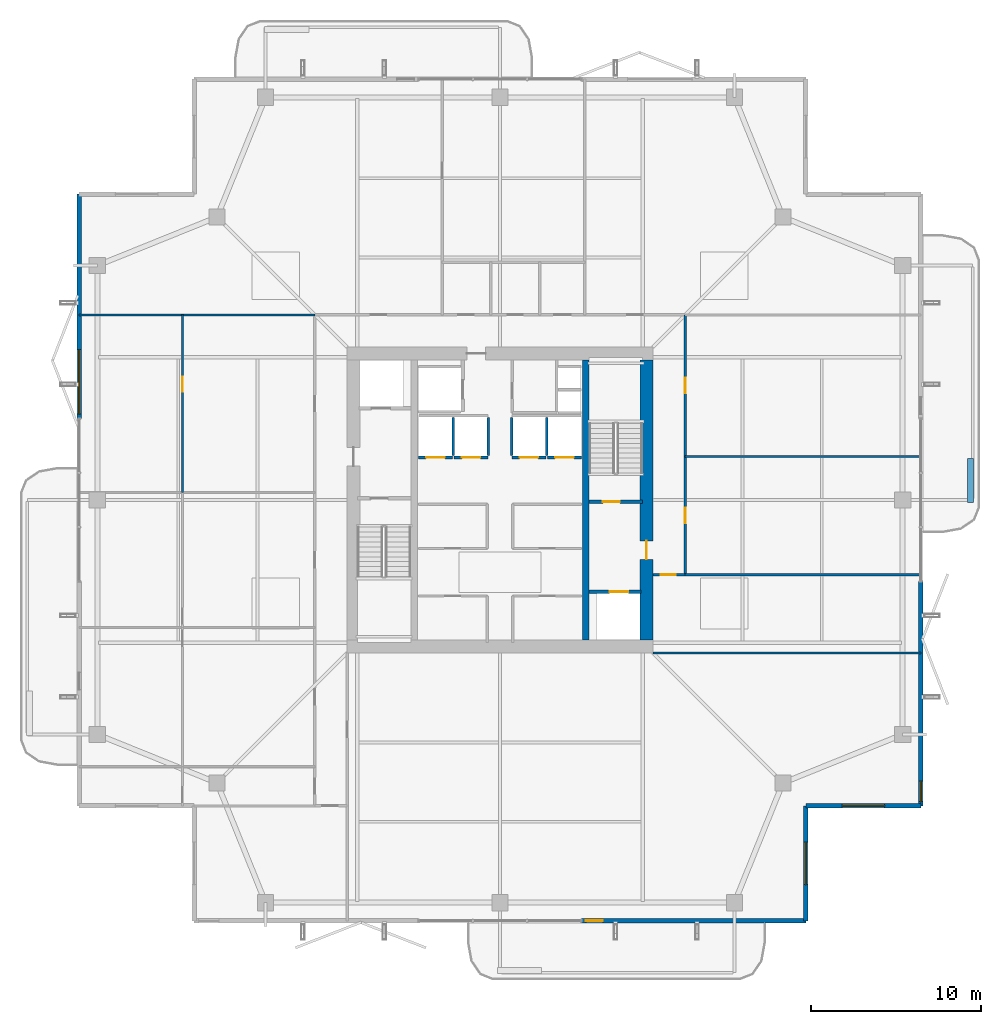
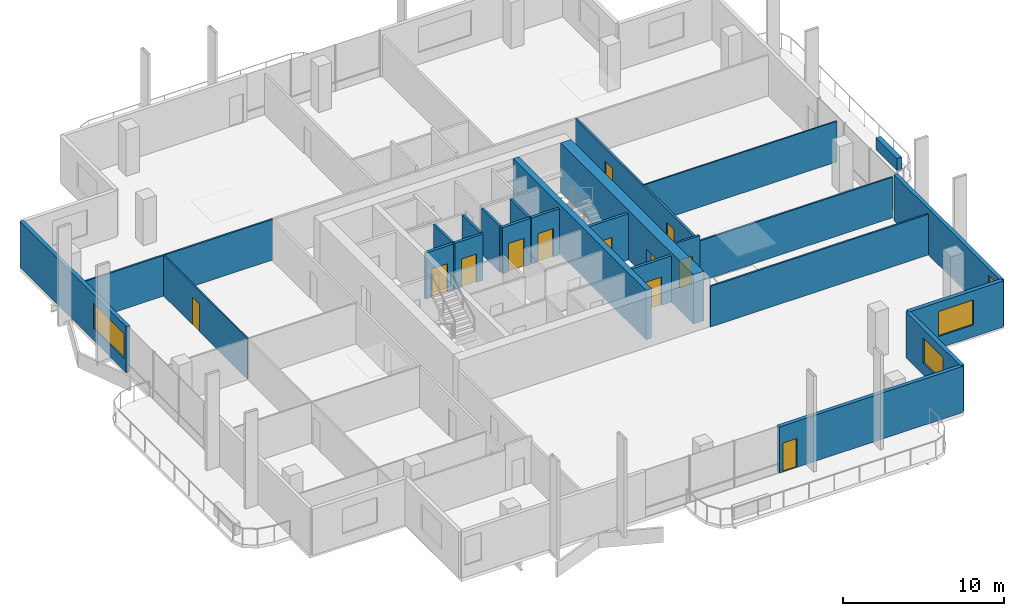
# One storey, part 19 of 25: 25 walls, 12 doors, 4 windows, 16 openings.
"""IFC4 building model written with IfcOpenShell, lengths in metres."""

from ifc_helpers import new_model, si_unit, direction, frame, frame_2d, origin, place, context, subcontext, project, spatial, rectangle, extrude, material, layer, layer_set, type_object, element, fill, save


model = new_model("IFC4")

# Units and contexts
model_context = context("Model", 3, precision=1e-05, world=origin(), true_north=direction((0.0, 1.0)))
body_context = subcontext(model_context, "Body", "Model", "MODEL_VIEW")
ifc_project = project(units=[si_unit("LENGTHUNIT", "METRE"), si_unit("AREAUNIT", "SQUARE_METRE"), si_unit("VOLUMEUNIT", "CUBIC_METRE"), si_unit("PLANEANGLEUNIT", "RADIAN"), si_unit("MASSUNIT", "GRAM", prefix="KILO")], contexts=[model_context])

# Site, building, storey
site_placement = place(None, origin())
site = spatial("IfcSite", under=ifc_project, at=site_placement, CompositionType="ELEMENT")
building_placement = place(site_placement, origin())
building = spatial("IfcBuilding", under=site, at=building_placement, Name="Belovzor Exchange Tower", CompositionType="ELEMENT")
storey_placement = place(building_placement, frame((0.0, 0.0, 272.85009765625)))
storey = spatial("IfcBuildingStorey", under=building, at=storey_placement, Name="L68", CompositionType="ELEMENT", Elevation=272.85009765625)

# Walls
ifc_material_1 = material(Name="Acoustic Plasterboard on Galvanised Studs", Category="gypsum")
ifc_layer_1 = layer(ifc_material_1, 0.1201171875)
ifc_layer_set_1 = layer_set([ifc_layer_1], Name="Acoustic Plasterboard on Galvanised Studs")
wall_type_1 = type_object("IfcWallType", Name="Acoustic Double-Stud Partition Wall 120", PredefinedType="PARTITIONING", material=ifc_layer_set_1)
wall_1_placement = place(storey_placement, frame((37.800048828125, 19.800048828125, 0.0), z_axis=(0.0, 0.0, 1.0), x_axis=(1.0, 0.0, 0.0)))
element("IfcWall", 1, at=wall_1_placement, inside=storey, type_object=wall_type_1, Name="W-P120 Partition Wall W-L68-ESS", PredefinedType="PARTITIONING", context=body_context, shape_type="SweptSolid", body=[
    extrude(rectangle(XDim=15.77001953125, YDim=0.1201171875, at=frame_2d((7.885009765625, 0.0))), origin(), (0.0, 0.0, 1.0), 3.0849609375),
])
wall_2_placement = place(storey_placement, frame((39.699951171875, 24.39990234375, 0.0), z_axis=(0.0, 0.0, 1.0), x_axis=(1.0, 0.0, 0.0)))
element("IfcWall", 2, at=wall_2_placement, inside=storey, type_object=wall_type_1, Name="W-P120 Partition Wall W-L68-ESN", PredefinedType="PARTITIONING", context=body_context, shape_type="SweptSolid", body=[
    extrude(rectangle(XDim=13.8701171875, YDim=0.1201171875, at=frame_2d((6.93505859375, 0.0))), origin(), (0.0, 0.0, 1.0), 3.0849609375),
])
wall_3_placement = place(storey_placement, frame((4.030029296875, 39.699951171875, 0.0), z_axis=(0.0, 0.0, 1.0), x_axis=(1.0, 0.0, 0.0)))
element("IfcWall", 3, at=wall_3_placement, inside=storey, type_object=wall_type_1, Name="W-P120 Partition Wall W-L68-END-NW", PredefinedType="PARTITIONING", context=body_context, shape_type="SweptSolid", body=[
    extrude(rectangle(XDim=13.869873046875, YDim=0.1201171875, at=frame_2d((6.93505859375, 0.0))), origin(), (0.0, 0.0, 1.0), 3.0849609375),
])

# Wall, opening, door
ifc_material_2 = material(Name="Acoustic Laminated Glass and Aluminium", Category="aluminium")
ifc_layer_2 = layer(ifc_material_2, 0.10009765625)
ifc_layer_set_2 = layer_set([ifc_layer_2], Name="Acoustic Laminated Glass and Aluminium")
wall_type_2 = type_object("IfcWallType", Name="Demountable Executive Glass Partition 100", PredefinedType="MOVABLE", material=ifc_layer_set_2)
wall_4_placement = place(storey_placement, frame((10.114990234375, 29.235107421875, 0.0), z_axis=(0.0, 0.0, 1.0), x_axis=(0.0, 1.0, 0.0)))
wall_4 = element("IfcWall", 4, at=wall_4_placement, inside=storey, type_object=wall_type_2, Name="W-M100 Partition Wall W-L68-WHDIV-3", PredefinedType="MOVABLE", context=body_context, shape_type="SweptSolid", body=[
    extrude(rectangle(XDim=10.46484375, YDim=0.10009765625, at=frame_2d((5.232421875, 0.0))), origin(), (0.0, 0.0, 1.0), 3.0849609375),
])
opening_1_placement = place(wall_4_placement, frame((5.927978515625, 0.0, 0.0)))
opening_1 = element("IfcOpeningElement", 5, at=opening_1_placement, cuts=wall_4, Name="Opening D-INT-090", PredefinedType="OPENING", context=body_context, shape_type="SweptSolid", body=[
    extrude(rectangle(XDim=0.89990234375, YDim=2.10009765625, at=frame_2d((0.449951171875, 1.050048828125))), frame((0.0, 0.06005859375, 0.0), z_axis=(0.0, -1.0, 0.0), x_axis=(1.0, 0.0, 0.0)), (0.0, 0.0, 1.0), 0.1201171875),
])
ifc_material_3 = material(Name="Veneered Hardwood Acoustic Leaf", Category="wood")
door_type_1 = type_object("IfcDoorType", Name="Trading Suite Acoustic Single Door 900x2100", OperationType="NOTDEFINED", PredefinedType="DOOR", material=ifc_material_3)
door_1_placement = place(opening_1_placement, origin())
door_1 = element("IfcDoor", 6, at=door_1_placement, inside=storey, type_object=door_type_1, Name="D-INT-090 Trading Suite Acoustic Single Door 900x2100", OperationType="SINGLE_SWING_LEFT", OverallHeight=2.10009765625, OverallWidth=0.89990234375, PredefinedType="DOOR", context=body_context, shape_type="SweptSolid", body=[
    extrude(rectangle(XDim=0.89990234375, YDim=2.10009765625, at=frame_2d((0.449951171875, 1.050048828125))), frame((0.0, 0.02490234375, 0.0), z_axis=(0.0, -1.0, 0.0), x_axis=(1.0, 0.0, 0.0)), (0.0, 0.0, 1.0), 0.050048828125),
])
fill(opening_1, door_1)

# Wall
wall_5_placement = place(storey_placement, frame((39.699951171875, 31.364013671875, 0.0), z_axis=(0.0, 0.0, 1.0), x_axis=(1.0, 0.0, 0.0)))
element("IfcWall", 7, at=wall_5_placement, inside=storey, type_object=wall_type_2, Name="W-M100 Partition Wall W-L68-EDIV-1", PredefinedType="MOVABLE", context=body_context, shape_type="SweptSolid", body=[
    extrude(rectangle(XDim=13.8701171875, YDim=0.10009765625, at=frame_2d((6.93505859375, 0.0))), origin(), (0.0, 0.0, 1.0), 3.0849609375),
])

# Wall, opening, door
ifc_material_4 = material(Name="Fire-Rated Gypsum Block and Mineral Wool", Category="gypsum")
ifc_layer_3 = layer(ifc_material_4, 0.14990234375)
ifc_layer_set_3 = layer_set([ifc_layer_3], Name="Fire-Rated Gypsum Block and Mineral Wool")
wall_type_3 = type_object("IfcWallType", Name="Fire-Rated Gypsum Block Corridor Wall 150", PredefinedType="PARTITIONING", material=ifc_layer_set_3)
wall_6_placement = place(storey_placement, frame((37.800048828125, 24.39990234375, 0.0), z_axis=(0.0, 0.0, 1.0), x_axis=(1.0, 0.0, 0.0)))
wall_6 = element("IfcWall", 8, at=wall_6_placement, inside=storey, type_object=wall_type_3, Name="W-P150 Partition Wall W-L68-CE-END", PredefinedType="PARTITIONING", context=body_context, shape_type="SweptSolid", body=[
    extrude(rectangle(XDim=1.89990234375, YDim=0.14990234375, at=frame_2d((0.949951171875, 0.0))), origin(), (0.0, 0.0, 1.0), 3.5),
])
opening_2_placement = place(wall_6_placement, frame((0.449951171875, 0.0, 0.0)))
opening_2 = element("IfcOpeningElement", 9, at=opening_2_placement, cuts=wall_6, Name="Opening D-FD60-090", PredefinedType="OPENING", context=body_context, shape_type="SweptSolid", body=[
    extrude(rectangle(XDim=0.89990234375, YDim=2.10009765625, at=frame_2d((0.449951171875, 1.050048828125))), frame((0.0, 0.0849609375, 0.0), z_axis=(0.0, -1.0, 0.0), x_axis=(1.0, 0.0, 0.0)), (0.0, 0.0, 1.0), 0.169921875),
])
ifc_material_5 = material(Name="Acoustic Timber Fire Leaf", Category="wood")
door_type_2 = type_object("IfcDoorType", Name="Core Service & Restroom Fire Door 900x2100", OperationType="NOTDEFINED", PredefinedType="DOOR", material=ifc_material_5)
door_2_placement = place(opening_2_placement, origin())
door_2 = element("IfcDoor", 10, at=door_2_placement, inside=storey, type_object=door_type_2, Name="D-FD60-090 Core Service & Restroom Fire Door 900x2100", OperationType="SINGLE_SWING_LEFT", OverallHeight=2.10009765625, OverallWidth=0.89990234375, PredefinedType="DOOR", context=body_context, shape_type="SweptSolid", body=[
    extrude(rectangle(XDim=0.89990234375, YDim=2.10009765625, at=frame_2d((0.449951171875, 1.050048828125))), frame((0.0, 0.02490234375, 0.0), z_axis=(0.0, -1.0, 0.0), x_axis=(1.0, 0.0, 0.0)), (0.0, 0.0, 1.0), 0.050048828125),
])
fill(opening_2, door_2)

# Wall, openings, doors
wall_7_placement = place(storey_placement, frame((39.699951171875, 24.39990234375, 0.0), z_axis=(0.0, 0.0, 1.0), x_axis=(0.0, 1.0, 0.0)))
wall_7 = element("IfcWall", 11, at=wall_7_placement, inside=storey, type_object=wall_type_3, Name="W-P150 Partition Wall W-L68-CE", PredefinedType="PARTITIONING", context=body_context, shape_type="SweptSolid", body=[
    extrude(rectangle(XDim=15.300048828125, YDim=0.14990234375, at=frame_2d((7.64990234375, 0.0))), origin(), (0.0, 0.0, 1.0), 3.0849609375),
])
opening_3_placement = place(wall_7_placement, frame((3.031982421875, 0.0, 0.0)))
opening_3 = element("IfcOpeningElement", 12, at=opening_3_placement, cuts=wall_7, Name="Opening D-INT-090", PredefinedType="OPENING", context=body_context, shape_type="SweptSolid", body=[
    extrude(rectangle(XDim=0.89990234375, YDim=2.10009765625, at=frame_2d((0.449951171875, 1.050048828125))), frame((0.0, 0.0849609375, 0.0), z_axis=(0.0, -1.0, 0.0), x_axis=(1.0, 0.0, 0.0)), (0.0, 0.0, 1.0), 0.169921875),
])
opening_4_placement = place(wall_7_placement, frame((10.681884765625, 0.0, 0.0)))
opening_4 = element("IfcOpeningElement", 13, at=opening_4_placement, cuts=wall_7, Name="Opening D-INT-090", PredefinedType="OPENING", context=body_context, shape_type="SweptSolid", body=[
    extrude(rectangle(XDim=0.89990234375, YDim=2.10009765625, at=frame_2d((0.449951171875, 1.050048828125))), frame((0.0, 0.0849609375, 0.0), z_axis=(0.0, -1.0, 0.0), x_axis=(1.0, 0.0, 0.0)), (0.0, 0.0, 1.0), 0.169921875),
])
door_3_placement = place(opening_3_placement, origin())
door_3 = element("IfcDoor", 14, at=door_3_placement, inside=storey, type_object=door_type_1, Name="D-INT-090 Trading Suite Acoustic Single Door 900x2100", OperationType="SINGLE_SWING_RIGHT", OverallHeight=2.10009765625, OverallWidth=0.89990234375, PredefinedType="DOOR", context=body_context, shape_type="SweptSolid", body=[
    extrude(rectangle(XDim=0.89990234375, YDim=2.10009765625, at=frame_2d((0.449951171875, 1.050048828125))), frame((0.0, 0.02490234375, 0.0), z_axis=(0.0, -1.0, 0.0), x_axis=(1.0, 0.0, 0.0)), (0.0, 0.0, 1.0), 0.050048828125),
])
fill(opening_3, door_3)
door_4_placement = place(opening_4_placement, origin())
door_4 = element("IfcDoor", 15, at=door_4_placement, inside=storey, type_object=door_type_1, Name="D-INT-090 Trading Suite Acoustic Single Door 900x2100", OperationType="SINGLE_SWING_LEFT", OverallHeight=2.10009765625, OverallWidth=0.89990234375, PredefinedType="DOOR", context=body_context, shape_type="SweptSolid", body=[
    extrude(rectangle(XDim=0.89990234375, YDim=2.10009765625, at=frame_2d((0.449951171875, 1.050048828125))), frame((0.0, 0.02490234375, 0.0), z_axis=(0.0, -1.0, 0.0), x_axis=(1.0, 0.0, 0.0)), (0.0, 0.0, 1.0), 0.050048828125),
])
fill(opening_4, door_4)

# Wall, opening, window
ifc_material_6 = material(Name="Precast concrete C40/50", Category="concrete")
ifc_layer_4 = layer(ifc_material_6, 0.280029296875)
ifc_layer_set_4 = layer_set([ifc_layer_4], Name="Precast concrete C40/50")
wall_type_4 = type_object("IfcWallType", Name="Precast Concrete Notched Corner Frame Wall 280", PredefinedType="SOLIDWALL", material=ifc_layer_set_4)
wall_8_placement = place(storey_placement, frame((53.570068359375, 10.800048828125, 0.0), z_axis=(0.0, 0.0, 1.0), x_axis=(-1.0, 0.0, 0.0)))
wall_8 = element("IfcWall", 16, at=wall_8_placement, inside=storey, type_object=wall_type_4, Name="W-CRN280 Precast Concrete Notched Corner Frame Wall 280 L68", PredefinedType="SOLIDWALL", context=body_context, shape_type="SweptSolid", body=[
    extrude(rectangle(XDim=6.77001953125, YDim=0.280029296875, at=frame_2d((3.385009765625, 0.0))), origin(), (0.0, 0.0, 1.0), 3.5),
])
opening_5_placement = place(wall_8_placement, frame((2.135009765625, 0.0, 0.89990234375)))
opening_5 = element("IfcOpeningElement", 17, at=opening_5_placement, cuts=wall_8, Name="Opening WN-CRN250", PredefinedType="OPENING", context=body_context, shape_type="SweptSolid", body=[
    extrude(rectangle(XDim=2.5, YDim=1.89990234375, at=frame_2d((1.25, 0.949951171875))), frame((0.0, 0.14990234375, 0.0), z_axis=(0.0, -1.0, 0.0), x_axis=(1.0, 0.0, 0.0)), (0.0, 0.0, 1.0), 0.300048828125),
])
ifc_material_7 = material(Name="Thermally Broken Aluminium and Triple Glazing", Category="aluminium")
window_type_1 = type_object("IfcWindowType", Name="Streamline Moderne Corner Wrap Ribbon Window 2500x1900", PartitioningType="SINGLE_PANEL", PredefinedType="WINDOW", material=ifc_material_7)
window_1_placement = place(opening_5_placement, origin())
window_1 = element("IfcWindow", 18, at=window_1_placement, inside=storey, type_object=window_type_1, Name="WN-CRN250 Streamline Moderne Corner Wrap Ribbon Window 2500x1900", OverallHeight=1.89990234375, OverallWidth=2.5, PartitioningType="SINGLE_PANEL", PredefinedType="WINDOW", context=body_context, shape_type="SweptSolid", body=[
    extrude(rectangle(XDim=2.5, YDim=1.89990234375, at=frame_2d((1.25, 0.949951171875))), frame((0.0, 0.030029296875, 0.0), z_axis=(0.0, -1.0, 0.0), x_axis=(1.0, 0.0, 0.0)), (0.0, 0.0, 1.0), 0.06005859375),
])
fill(opening_5, window_1)

wall_9_placement = place(storey_placement, frame((46.800048828125, 10.800048828125, 0.0), z_axis=(0.0, 0.0, 1.0), x_axis=(0.0, -1.0, 0.0)))
wall_9 = element("IfcWall", 19, at=wall_9_placement, inside=storey, type_object=wall_type_4, Name="W-CRN280 Precast Concrete Notched Corner Frame Wall 280 L68", PredefinedType="SOLIDWALL", context=body_context, shape_type="SweptSolid", body=[
    extrude(rectangle(XDim=6.77001953125, YDim=0.280029296875, at=frame_2d((3.385009765625, 0.0))), origin(), (0.0, 0.0, 1.0), 3.5),
])
opening_6_placement = place(wall_9_placement, frame((2.135009765625, 0.0, 0.89990234375)))
opening_6 = element("IfcOpeningElement", 20, at=opening_6_placement, cuts=wall_9, Name="Opening WN-CRN250", PredefinedType="OPENING", context=body_context, shape_type="SweptSolid", body=[
    extrude(rectangle(XDim=2.5, YDim=1.89990234375, at=frame_2d((1.25, 0.949951171875))), frame((0.0, 0.14990234375, 0.0), z_axis=(0.0, -1.0, 0.0), x_axis=(1.0, 0.0, 0.0)), (0.0, 0.0, 1.0), 0.300048828125),
])
window_2_placement = place(opening_6_placement, origin())
window_2 = element("IfcWindow", 21, at=window_2_placement, inside=storey, type_object=window_type_1, Name="WN-CRN250 Streamline Moderne Corner Wrap Ribbon Window 2500x1900", OverallHeight=1.89990234375, OverallWidth=2.5, PartitioningType="SINGLE_PANEL", PredefinedType="WINDOW", context=body_context, shape_type="SweptSolid", body=[
    extrude(rectangle(XDim=2.5, YDim=1.89990234375, at=frame_2d((1.25, 0.949951171875))), frame((0.0, 0.030029296875, 0.0), z_axis=(0.0, -1.0, 0.0), x_axis=(1.0, 0.0, 0.0)), (0.0, 0.0, 1.0), 0.06005859375),
])
fill(opening_6, window_2)

# Wall, opening, door
ifc_material_8 = material(Name="Precast concrete C40/50", Category="concrete")
ifc_layer_5 = layer(ifc_material_8, 0.260009765625)
ifc_layer_set_5 = layer_set([ifc_layer_5], Name="Precast concrete C40/50")
wall_type_5 = type_object("IfcWallType", Name="Precast Concrete Perimeter Loggia Frame Wall 260", PredefinedType="SOLIDWALL", material=ifc_layer_set_5)
wall_10_placement = place(storey_placement, frame((46.800048828125, 4.030029296875, 0.0), z_axis=(0.0, 0.0, 1.0), x_axis=(-1.0, 0.0, 0.0)))
wall_10 = element("IfcWall", 22, at=wall_10_placement, inside=storey, type_object=wall_type_5, Name="W-EXT260 Precast Concrete Perimeter Loggia Frame Wall 260 L68", PredefinedType="SOLIDWALL", context=body_context, shape_type="SweptSolid", body=[
    extrude(rectangle(XDim=13.199951171875, YDim=0.260009765625, at=frame_2d((6.60009765625, 0.0))), origin(), (0.0, 0.0, 1.0), 3.5),
])
opening_7_placement = place(wall_10_placement, frame((11.949951171875, 0.0, 0.0)))
opening_7 = element("IfcOpeningElement", 23, at=opening_7_placement, cuts=wall_10, Name="Opening D-BAL100", PredefinedType="OPENING", context=body_context, shape_type="SweptSolid", body=[
    extrude(rectangle(XDim=1.0, YDim=2.199951171875, at=frame_2d((0.5, 1.10009765625))), frame((0.0, 0.139892578125, 0.0), z_axis=(0.0, -1.0, 0.0), x_axis=(1.0, 0.0, 0.0)), (0.0, 0.0, 1.0), 0.280029296875),
])
ifc_material_9 = material(Name="Thermally Broken Anodised Aluminium and Laminated Glass", Category="aluminium")
door_type_3 = type_object("IfcDoorType", Name="Planted Loggia Terrace Glazed Door 1000x2200", OperationType="SINGLE_SWING_LEFT", PredefinedType="DOOR", material=ifc_material_9)
door_5_placement = place(opening_7_placement, origin())
door_5 = element("IfcDoor", 24, at=door_5_placement, inside=storey, type_object=door_type_3, Name="D-BAL100 Balcony Terrace Door L68 S", OperationType="SINGLE_SWING_LEFT", OverallHeight=2.199951171875, OverallWidth=1.0, PredefinedType="DOOR", context=body_context, shape_type="SweptSolid", body=[
    extrude(rectangle(XDim=1.0, YDim=2.199951171875, at=frame_2d((0.5, 1.10009765625))), frame((0.0, 0.02490234375, 0.0), z_axis=(0.0, -1.0, 0.0), x_axis=(1.0, 0.0, 0.0)), (0.0, 0.0, 1.0), 0.050048828125),
])
fill(opening_7, door_5)

# Wall, opening, window
wall_11_placement = place(storey_placement, frame((4.030029296875, 33.60009765625, 0.0), z_axis=(0.0, 0.0, 1.0), x_axis=(0.0, 1.0, 0.0)))
wall_11 = element("IfcWall", 25, at=wall_11_placement, inside=storey, type_object=wall_type_5, Name="W-EXT260 Precast Concrete Perimeter Loggia Frame Wall 260 L68", PredefinedType="SOLIDWALL", context=body_context, shape_type="SweptSolid", body=[
    extrude(rectangle(XDim=13.199951171875, YDim=0.260009765625, at=frame_2d((6.60009765625, 0.0))), origin(), (0.0, 0.0, 1.0), 3.5),
])
opening_8_placement = place(wall_11_placement, frame((0.25, 0.0, 0.89990234375)))
opening_8 = element("IfcOpeningElement", 26, at=opening_8_placement, cuts=wall_11, Name="Opening WN-RIB380", PredefinedType="OPENING", context=body_context, shape_type="SweptSolid", body=[
    extrude(rectangle(XDim=3.800048828125, YDim=1.89990234375, at=frame_2d((1.89990234375, 0.949951171875))), frame((0.0, 0.139892578125, 0.0), z_axis=(0.0, -1.0, 0.0), x_axis=(1.0, 0.0, 0.0)), (0.0, 0.0, 1.0), 0.280029296875),
])
ifc_material_10 = material(Name="Thermally Broken Aluminium and Triple Glazing", Category="aluminium")
window_type_2 = type_object("IfcWindowType", Name="Streamline Moderne Horizontal Ribbon Window 3800x1900", PartitioningType="SINGLE_PANEL", PredefinedType="WINDOW", material=ifc_material_10)
window_3_placement = place(opening_8_placement, origin())
window_3 = element("IfcWindow", 27, at=window_3_placement, inside=storey, type_object=window_type_2, Name="WN-RIB380 Streamline Moderne Horizontal Ribbon Window 3800x1900", OverallHeight=1.89990234375, OverallWidth=3.800048828125, PartitioningType="SINGLE_PANEL", PredefinedType="WINDOW", context=body_context, shape_type="SweptSolid", body=[
    extrude(rectangle(XDim=3.800048828125, YDim=1.89990234375, at=frame_2d((1.89990234375, 0.949951171875))), frame((0.0, 0.030029296875, 0.0), z_axis=(0.0, -1.0, 0.0), x_axis=(1.0, 0.0, 0.0)), (0.0, 0.0, 1.0), 0.06005859375),
])
fill(opening_8, window_3)

wall_12_placement = place(storey_placement, frame((53.570068359375, 24.0, 0.0), z_axis=(0.0, 0.0, 1.0), x_axis=(0.0, -1.0, 0.0)))
wall_12 = element("IfcWall", 28, at=wall_12_placement, inside=storey, type_object=wall_type_5, Name="W-EXT260 Precast Concrete Perimeter Loggia Frame Wall 260 L68", PredefinedType="SOLIDWALL", context=body_context, shape_type="SweptSolid", body=[
    extrude(rectangle(XDim=13.199951171875, YDim=0.260009765625, at=frame_2d((6.60009765625, 0.0))), origin(), (0.0, 0.0, 1.0), 3.5),
])
opening_9_placement = place(wall_12_placement, frame((11.75, 0.0, 0.89990234375)))
opening_9 = element("IfcOpeningElement", 29, at=opening_9_placement, cuts=wall_12, Name="Opening WN-CRN120", PredefinedType="OPENING", context=body_context, shape_type="SweptSolid", body=[
    extrude(rectangle(XDim=1.199951171875, YDim=2.10009765625, at=frame_2d((0.60009765625, 1.050048828125))), frame((0.0, 0.139892578125, 0.0), z_axis=(0.0, -1.0, 0.0), x_axis=(1.0, 0.0, 0.0)), (0.0, 0.0, 1.0), 0.280029296875),
])
ifc_material_11 = material(Name="Thermally Broken Aluminium and Triple Glazing", Category="aluminium")
window_type_3 = type_object("IfcWindowType", Name="Streamline Notched Corner Window 1200x2100", PartitioningType="SINGLE_PANEL", PredefinedType="WINDOW", material=ifc_material_11)
window_4_placement = place(opening_9_placement, origin())
window_4 = element("IfcWindow", 30, at=window_4_placement, inside=storey, type_object=window_type_3, Name="WN-CRN120 Streamline Notched Corner Window 1200x2100", OverallHeight=2.10009765625, OverallWidth=1.199951171875, PartitioningType="SINGLE_PANEL", PredefinedType="WINDOW", context=body_context, shape_type="SweptSolid", body=[
    extrude(rectangle(XDim=1.199951171875, YDim=2.10009765625, at=frame_2d((0.60009765625, 1.050048828125))), frame((0.0, 0.030029296875, 0.0), z_axis=(0.0, -1.0, 0.0), x_axis=(1.0, 0.0, 0.0)), (0.0, 0.0, 1.0), 0.06005859375),
])
fill(opening_9, window_4)

# Walls
ifc_material_12 = material(Name="Precast concrete C40/50", Category="concrete")
ifc_layer_6 = layer(ifc_material_12, 0.35009765625)
ifc_layer_set_6 = layer_set([ifc_layer_6], Name="Precast concrete C40/50")
wall_type_6 = type_object("IfcWallType", Name="Precast Concrete Structural Tree Planter Trough 350", PredefinedType="PARAPET", material=ifc_layer_set_6)
wall_13_placement = place(storey_placement, frame((56.5, 28.64990234375, 0.0), z_axis=(0.0, 0.0, 1.0), x_axis=(0.0, 1.0, 0.0)))
element("IfcWall", 31, at=wall_13_placement, inside=storey, type_object=wall_type_6, Name="PT-350 Precast Concrete Structural Tree Planter Trough 350 L68", PredefinedType="PARAPET", context=body_context, shape_type="SweptSolid", body=[
    extrude(rectangle(XDim=2.60009765625, YDim=0.35009765625, at=frame_2d((1.300048828125, 0.0))), origin(), (0.0, 0.0, 1.0), 0.89990234375),
])
ifc_material_13 = material(Name="Concrete C50/60", Category="concrete")
ifc_layer_7 = layer(ifc_material_13, 0.39990234375)
ifc_layer_set_7 = layer_set([ifc_layer_7], Name="Concrete C50/60")
wall_type_7 = type_object("IfcWallType", Name="Reinforced Concrete Core Internal Web Wall 400", PredefinedType="SHEAR", material=ifc_layer_set_7)
wall_14_placement = place(storey_placement, frame((33.85009765625, 20.550048828125, 0.0), z_axis=(0.0, 0.0, 1.0), x_axis=(0.0, 1.0, 0.0)))
element("IfcWall", 32, at=wall_14_placement, inside=storey, type_object=wall_type_7, Name="CW-W040 Core Internal Web Wall L68 ER", PredefinedType="SHEAR", context=body_context, shape_type="SweptSolid", body=[
    extrude(rectangle(XDim=16.5, YDim=0.39990234375, at=frame_2d((8.25, 0.0))), origin(), (0.0, 0.0, 1.0), 3.75),
])
ifc_material_14 = material(Name="Concrete C50/60", Category="concrete")
ifc_layer_8 = layer(ifc_material_14, 0.14990234375)
ifc_layer_set_8 = layer_set([ifc_layer_8], Name="Concrete C50/60")
wall_type_8 = type_object("IfcWallType", Name="Reinforced Concrete Core Riser Shear Wall 150", PredefinedType="SHEAR", material=ifc_layer_set_8)
for number, where, z_axis, x_axis, name in (
    (33, (26.050048828125, 31.419921875, 0.0), (0.0, 0.0, 1.0), (0.0, 1.0, 0.0), "W-C150S Core Shaft Wall W-SHD-L68-PLH-1"),
    (34, (28.10009765625, 31.419921875, 0.0), (0.0, 0.0, 1.0), (0.0, 1.0, 0.0), "W-C150S Core Shaft Wall W-SHD-L68-PLH-2"),
    (35, (29.5, 31.419921875, 0.0), (0.0, 0.0, 1.0), (0.0, 1.0, 0.0), "W-C150S Core Shaft Wall W-SHD-L68-PLH-3"),
    (36, (31.550048828125, 31.419921875, 0.0), (0.0, 0.0, 1.0), (0.0, 1.0, 0.0), "W-C150S Core Shaft Wall W-SHD-L68-PLH-4"),
):
    element("IfcWall", number, at=place(storey_placement, frame(where, z_axis=z_axis, x_axis=x_axis)), inside=storey, type_object=wall_type_8, Name=name, PredefinedType="SHEAR", context=body_context, shape_type="SweptSolid", body=[
        extrude(rectangle(XDim=2.239990234375, YDim=0.14990234375, at=frame_2d((1.1201171875, 0.0))), origin(), (0.0, 0.0, 1.0), 3.5),
    ])

# Wall, opening, door
ifc_material_15 = material(Name="Concrete C50/60", Category="concrete")
ifc_layer_9 = layer(ifc_material_15, 0.199951171875)
ifc_layer_set_9 = layer_set([ifc_layer_9], Name="Concrete C50/60")
wall_type_9 = type_object("IfcWallType", Name="Reinforced Concrete Core Shaft Shear Wall 200", PredefinedType="SHEAR", material=ifc_layer_set_9)
wall_15_placement = place(storey_placement, frame((34.050048828125, 28.699951171875, 0.0), z_axis=(0.0, 0.0, 1.0), x_axis=(1.0, 0.0, 0.0)))
wall_15 = element("IfcWall", 37, at=wall_15_placement, inside=storey, type_object=wall_type_9, Name="W-C200S Core Shaft Wall W-CORE-L68-FFLE2", PredefinedType="SHEAR", context=body_context, shape_type="SweptSolid", body=[
    extrude(rectangle(XDim=3.14990234375, YDim=0.199951171875, at=frame_2d((1.574951171875, 0.0))), origin(), (0.0, 0.0, 1.0), 3.5),
])
opening_10_placement = place(wall_15_placement, frame((0.800048828125, 0.0, 0.0)))
opening_10 = element("IfcOpeningElement", 38, at=opening_10_placement, cuts=wall_15, Name="Opening D-FD90-100", PredefinedType="OPENING", context=body_context, shape_type="SweptSolid", body=[
    extrude(rectangle(XDim=1.0, YDim=2.10009765625, at=frame_2d((0.5, 1.050048828125))), frame((0.0, 0.10986328125, 0.0), z_axis=(0.0, -1.0, 0.0), x_axis=(1.0, 0.0, 0.0)), (0.0, 0.0, 1.0), 0.219970703125),
])
ifc_material_16 = material(Name="Fire-Rated Galvanised Steel Leaf", Category="steel")
door_type_4 = type_object("IfcDoorType", Name="Protected Stairwell Single Fire Door 1000x2100", OperationType="NOTDEFINED", PredefinedType="DOOR", material=ifc_material_16)
door_6_placement = place(opening_10_placement, origin())
door_6 = element("IfcDoor", 39, at=door_6_placement, inside=storey, type_object=door_type_4, Name="D-FD90-100 Protected Stairwell Single Fire Door 1000x2100", OperationType="SINGLE_SWING_LEFT", OverallHeight=2.10009765625, OverallWidth=1.0, PredefinedType="DOOR", context=body_context, shape_type="SweptSolid", body=[
    extrude(rectangle(XDim=1.0, YDim=2.10009765625, at=frame_2d((0.5, 1.050048828125))), frame((0.0, 0.02490234375, 0.0), z_axis=(0.0, -1.0, 0.0), x_axis=(1.0, 0.0, 0.0)), (0.0, 0.0, 1.0), 0.050048828125),
])
fill(opening_10, door_6)

wall_16_placement = place(storey_placement, frame((34.050048828125, 23.39990234375, 0.0), z_axis=(0.0, 0.0, 1.0), x_axis=(1.0, 0.0, 0.0)))
wall_16 = element("IfcWall", 40, at=wall_16_placement, inside=storey, type_object=wall_type_9, Name="W-C200S Core Shaft Wall W-SH-L68-FFL-02", PredefinedType="SHEAR", context=body_context, shape_type="SweptSolid", body=[
    extrude(rectangle(XDim=3.050048828125, YDim=0.199951171875, at=frame_2d((1.52490234375, 0.0))), origin(), (0.0, 0.0, 1.0), 3.5),
])
opening_11_placement = place(wall_16_placement, frame((1.199951171875, 0.0, 0.0)))
opening_11 = element("IfcOpeningElement", 41, at=opening_11_placement, cuts=wall_16, Name="Opening LD-110", PredefinedType="OPENING", context=body_context, shape_type="SweptSolid", body=[
    extrude(rectangle(XDim=1.10009765625, YDim=2.14990234375, at=frame_2d((0.550048828125, 1.074951171875))), frame((0.0, 0.10986328125, 0.0), z_axis=(0.0, -1.0, 0.0), x_axis=(1.0, 0.0, 0.0)), (0.0, 0.0, 1.0), 0.219970703125),
])
ifc_material_17 = material(Name="Stainless Steel Grade 304", Category="steel")
door_type_5 = type_object("IfcDoorType", Name="Automated Stainless Steel Lift Landing Door 1100x2150", OperationType="SLIDING_TO_RIGHT", PredefinedType="DOOR", material=ifc_material_17)
door_7_placement = place(opening_11_placement, origin())
door_7 = element("IfcDoor", 42, at=door_7_placement, inside=storey, type_object=door_type_5, Name="LD-110 Automated Stainless Steel Lift Landing Door 1100x2150", OperationType="SLIDING_TO_RIGHT", OverallHeight=2.14990234375, OverallWidth=1.10009765625, PredefinedType="DOOR", context=body_context, shape_type="SweptSolid", body=[
    extrude(rectangle(XDim=1.10009765625, YDim=2.14990234375, at=frame_2d((0.550048828125, 1.074951171875))), frame((0.0, 0.02490234375, 0.0), z_axis=(0.0, -1.0, 0.0), x_axis=(1.0, 0.0, 0.0)), (0.0, 0.0, 1.0), 0.050048828125),
])
fill(opening_11, door_7)

wall_17_placement = place(storey_placement, frame((24.0, 31.300048828125, 0.0), z_axis=(0.0, 0.0, 1.0), x_axis=(1.0, 0.0, 0.0)))
wall_17 = element("IfcWall", 43, at=wall_17_placement, inside=storey, type_object=wall_type_9, Name="W-C200S Core Shaft Wall W-SH-L68-PL-H1", PredefinedType="SHEAR", context=body_context, shape_type="SweptSolid", body=[
    extrude(rectangle(XDim=2.0, YDim=0.199951171875, at=frame_2d((1.0, 0.0))), origin(), (0.0, 0.0, 1.0), 3.5),
])
opening_12_placement = place(wall_17_placement, frame((0.449951171875, 0.0, 0.0)))
opening_12 = element("IfcOpeningElement", 44, at=opening_12_placement, cuts=wall_17, Name="Opening LD-110", PredefinedType="OPENING", context=body_context, shape_type="SweptSolid", body=[
    extrude(rectangle(XDim=1.10009765625, YDim=2.14990234375, at=frame_2d((0.550048828125, 1.074951171875))), frame((0.0, 0.10986328125, 0.0), z_axis=(0.0, -1.0, 0.0), x_axis=(1.0, 0.0, 0.0)), (0.0, 0.0, 1.0), 0.219970703125),
])
door_8_placement = place(opening_12_placement, origin())
door_8 = element("IfcDoor", 45, at=door_8_placement, inside=storey, type_object=door_type_5, Name="LD-110 Automated Stainless Steel Lift Landing Door 1100x2150", OperationType="SLIDING_TO_RIGHT", OverallHeight=2.14990234375, OverallWidth=1.10009765625, PredefinedType="DOOR", context=body_context, shape_type="SweptSolid", body=[
    extrude(rectangle(XDim=1.10009765625, YDim=2.14990234375, at=frame_2d((0.550048828125, 1.074951171875))), frame((0.0, 0.02490234375, 0.0), z_axis=(0.0, -1.0, 0.0), x_axis=(1.0, 0.0, 0.0)), (0.0, 0.0, 1.0), 0.050048828125),
])
fill(opening_12, door_8)

wall_18_placement = place(storey_placement, frame((26.10009765625, 31.300048828125, 0.0), z_axis=(0.0, 0.0, 1.0), x_axis=(1.0, 0.0, 0.0)))
wall_18 = element("IfcWall", 46, at=wall_18_placement, inside=storey, type_object=wall_type_9, Name="W-C200S Core Shaft Wall W-SH-L68-PL-H2", PredefinedType="SHEAR", context=body_context, shape_type="SweptSolid", body=[
    extrude(rectangle(XDim=2.0, YDim=0.199951171875, at=frame_2d((1.0, 0.0))), origin(), (0.0, 0.0, 1.0), 3.5),
])
opening_13_placement = place(wall_18_placement, frame((0.449951171875, 0.0, 0.0)))
opening_13 = element("IfcOpeningElement", 47, at=opening_13_placement, cuts=wall_18, Name="Opening LD-110", PredefinedType="OPENING", context=body_context, shape_type="SweptSolid", body=[
    extrude(rectangle(XDim=1.10009765625, YDim=2.14990234375, at=frame_2d((0.550048828125, 1.074951171875))), frame((0.0, 0.10986328125, 0.0), z_axis=(0.0, -1.0, 0.0), x_axis=(1.0, 0.0, 0.0)), (0.0, 0.0, 1.0), 0.219970703125),
])
door_9_placement = place(opening_13_placement, origin())
door_9 = element("IfcDoor", 48, at=door_9_placement, inside=storey, type_object=door_type_5, Name="LD-110 Automated Stainless Steel Lift Landing Door 1100x2150", OperationType="SLIDING_TO_RIGHT", OverallHeight=2.14990234375, OverallWidth=1.10009765625, PredefinedType="DOOR", context=body_context, shape_type="SweptSolid", body=[
    extrude(rectangle(XDim=1.10009765625, YDim=2.14990234375, at=frame_2d((0.550048828125, 1.074951171875))), frame((0.0, 0.02490234375, 0.0), z_axis=(0.0, -1.0, 0.0), x_axis=(1.0, 0.0, 0.0)), (0.0, 0.0, 1.0), 0.050048828125),
])
fill(opening_13, door_9)

wall_19_placement = place(storey_placement, frame((29.5, 31.300048828125, 0.0), z_axis=(0.0, 0.0, 1.0), x_axis=(1.0, 0.0, 0.0)))
wall_19 = element("IfcWall", 49, at=wall_19_placement, inside=storey, type_object=wall_type_9, Name="W-C200S Core Shaft Wall W-SH-L68-PL-H3", PredefinedType="SHEAR", context=body_context, shape_type="SweptSolid", body=[
    extrude(rectangle(XDim=2.0, YDim=0.199951171875, at=frame_2d((1.0, 0.0))), origin(), (0.0, 0.0, 1.0), 3.5),
])
opening_14_placement = place(wall_19_placement, frame((0.449951171875, 0.0, 0.0)))
opening_14 = element("IfcOpeningElement", 50, at=opening_14_placement, cuts=wall_19, Name="Opening LD-110", PredefinedType="OPENING", context=body_context, shape_type="SweptSolid", body=[
    extrude(rectangle(XDim=1.10009765625, YDim=2.14990234375, at=frame_2d((0.550048828125, 1.074951171875))), frame((0.0, 0.10986328125, 0.0), z_axis=(0.0, -1.0, 0.0), x_axis=(1.0, 0.0, 0.0)), (0.0, 0.0, 1.0), 0.219970703125),
])
door_10_placement = place(opening_14_placement, origin())
door_10 = element("IfcDoor", 51, at=door_10_placement, inside=storey, type_object=door_type_5, Name="LD-110 Automated Stainless Steel Lift Landing Door 1100x2150", OperationType="SLIDING_TO_RIGHT", OverallHeight=2.14990234375, OverallWidth=1.10009765625, PredefinedType="DOOR", context=body_context, shape_type="SweptSolid", body=[
    extrude(rectangle(XDim=1.10009765625, YDim=2.14990234375, at=frame_2d((0.550048828125, 1.074951171875))), frame((0.0, 0.02490234375, 0.0), z_axis=(0.0, -1.0, 0.0), x_axis=(1.0, 0.0, 0.0)), (0.0, 0.0, 1.0), 0.050048828125),
])
fill(opening_14, door_10)

wall_20_placement = place(storey_placement, frame((31.60009765625, 31.300048828125, 0.0), z_axis=(0.0, 0.0, 1.0), x_axis=(1.0, 0.0, 0.0)))
wall_20 = element("IfcWall", 52, at=wall_20_placement, inside=storey, type_object=wall_type_9, Name="W-C200S Core Shaft Wall W-SH-L68-PL-H4", PredefinedType="SHEAR", context=body_context, shape_type="SweptSolid", body=[
    extrude(rectangle(XDim=2.0, YDim=0.199951171875, at=frame_2d((1.0, 0.0))), origin(), (0.0, 0.0, 1.0), 3.5),
])
opening_15_placement = place(wall_20_placement, frame((0.449951171875, 0.0, 0.0)))
opening_15 = element("IfcOpeningElement", 53, at=opening_15_placement, cuts=wall_20, Name="Opening LD-110", PredefinedType="OPENING", context=body_context, shape_type="SweptSolid", body=[
    extrude(rectangle(XDim=1.10009765625, YDim=2.14990234375, at=frame_2d((0.550048828125, 1.074951171875))), frame((0.0, 0.10986328125, 0.0), z_axis=(0.0, -1.0, 0.0), x_axis=(1.0, 0.0, 0.0)), (0.0, 0.0, 1.0), 0.219970703125),
])
door_11_placement = place(opening_15_placement, origin())
door_11 = element("IfcDoor", 54, at=door_11_placement, inside=storey, type_object=door_type_5, Name="LD-110 Automated Stainless Steel Lift Landing Door 1100x2150", OperationType="SLIDING_TO_RIGHT", OverallHeight=2.14990234375, OverallWidth=1.10009765625, PredefinedType="DOOR", context=body_context, shape_type="SweptSolid", body=[
    extrude(rectangle(XDim=1.10009765625, YDim=2.14990234375, at=frame_2d((0.550048828125, 1.074951171875))), frame((0.0, 0.02490234375, 0.0), z_axis=(0.0, -1.0, 0.0), x_axis=(1.0, 0.0, 0.0)), (0.0, 0.0, 1.0), 0.050048828125),
])
fill(opening_15, door_11)

ifc_material_18 = material(Name="Concrete C50/60", Category="concrete")
ifc_layer_10 = layer(ifc_material_18, 0.75)
ifc_layer_set_10 = layer_set([ifc_layer_10], Name="Concrete C50/60")
wall_type_10 = type_object("IfcWallType", Name="Reinforced Concrete Core Shear Wall 750", PredefinedType="SHEAR", material=ifc_layer_set_10)
wall_21_placement = place(storey_placement, frame((37.425048828125, 20.550048828125, 0.0), z_axis=(0.0, 0.0, 1.0), x_axis=(0.0, 1.0, 0.0)))
wall_21 = element("IfcWall", 55, at=wall_21_placement, inside=storey, type_object=wall_type_10, Name="CW-S075 Core Shear Wall L68 E", PredefinedType="SHEAR", context=body_context, shape_type="SweptSolid", body=[
    extrude(rectangle(XDim=16.5, YDim=0.75, at=frame_2d((8.25, 0.0))), origin(), (0.0, 0.0, 1.0), 3.75),
])
opening_16_placement = place(wall_21_placement, frame((4.75, 0.0, 0.0)))
opening_16 = element("IfcOpeningElement", 56, at=opening_16_placement, cuts=wall_21, Name="Opening D-FD90-110", PredefinedType="OPENING", context=body_context, shape_type="SweptSolid", body=[
    extrude(rectangle(XDim=1.10009765625, YDim=2.14990234375, at=frame_2d((0.550048828125, 1.074951171875))), frame((0.0, 0.385009765625, 0.0), z_axis=(0.0, -1.0, 0.0), x_axis=(1.0, 0.0, 0.0)), (0.0, 0.0, 1.0), 0.77001953125),
])
ifc_material_19 = material(Name="Fire-Rated Galvanised Steel Leaf", Category="steel")
door_type_6 = type_object("IfcDoorType", Name="Protected Escape Vestibule Fire Door 1100x2150", OperationType="NOTDEFINED", PredefinedType="DOOR", material=ifc_material_19)
door_12_placement = place(opening_16_placement, origin())
door_12 = element("IfcDoor", 57, at=door_12_placement, inside=storey, type_object=door_type_6, Name="D-FD90-110 Protected Escape Vestibule Fire Door 1100x2150", OperationType="SINGLE_SWING_RIGHT", OverallHeight=2.14990234375, OverallWidth=1.10009765625, PredefinedType="DOOR", context=body_context, shape_type="SweptSolid", body=[
    extrude(rectangle(XDim=1.10009765625, YDim=2.14990234375, at=frame_2d((0.550048828125, 1.074951171875))), frame((0.0, 0.02490234375, 0.0), z_axis=(0.0, -1.0, 0.0), x_axis=(1.0, 0.0, 0.0)), (0.0, 0.0, 1.0), 0.050048828125),
])
fill(opening_16, door_12)

save(model, "model.ifc")
